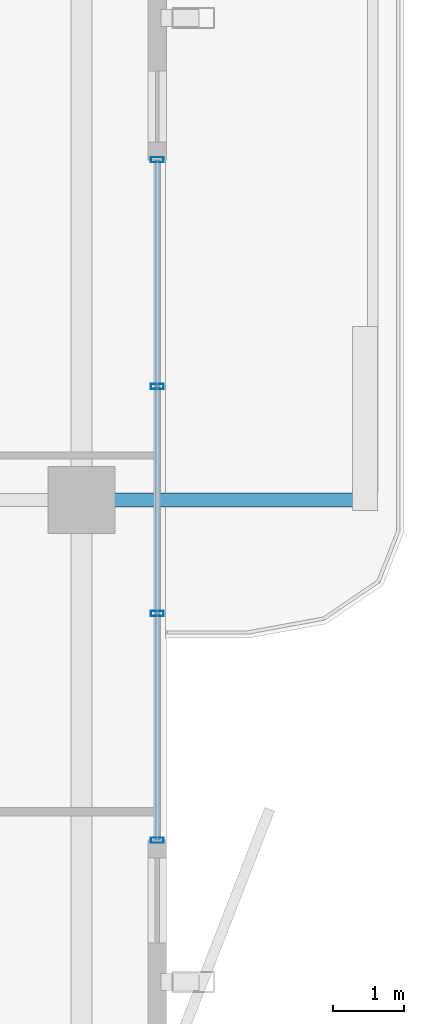
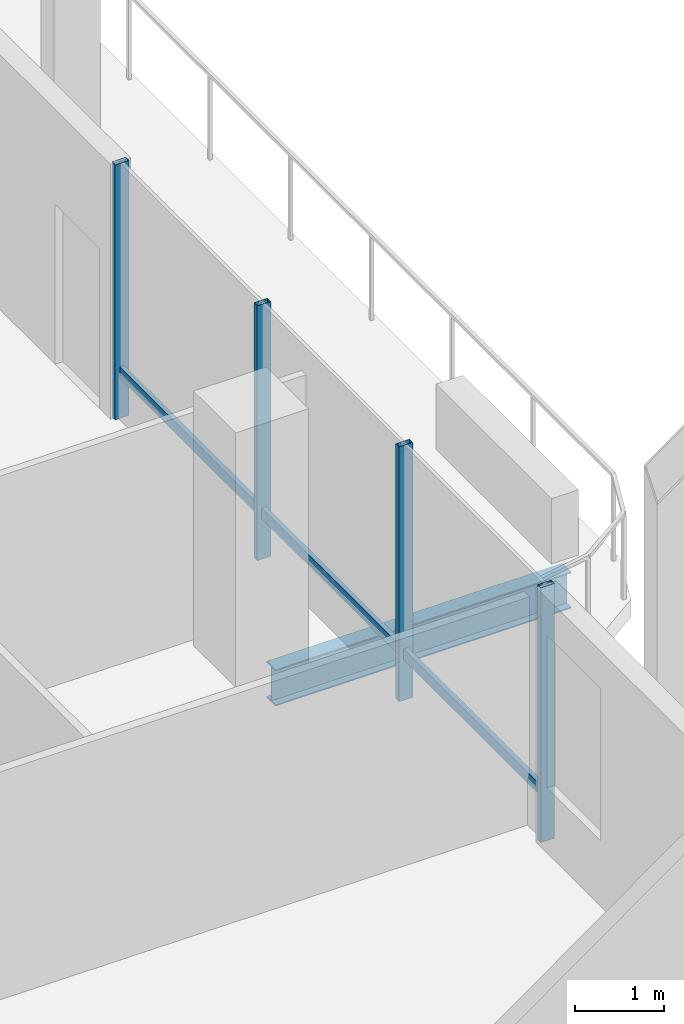
# One storey, part 9 of 20: 7 members, 1 beam, 1 element without a shape of its own.
"""IFC4 building model written with IfcOpenShell, lengths in metres."""

from ifc_helpers import new_model, si_unit, direction, frame, origin, origin_2d, place, context, subcontext, project, spatial, hollow_rectangle, i_section, extrude, material, layer, layer_set, material_profile, profile_set, type_object, element, aggregate, save


model = new_model("IFC4")

# Units and contexts
model_context = context("Model", 3, precision=1e-05, world=origin(), true_north=direction((0.0, 1.0)))
body_context = subcontext(model_context, "Body", "Model", "MODEL_VIEW")
ifc_project = project(units=[si_unit("LENGTHUNIT", "METRE"), si_unit("AREAUNIT", "SQUARE_METRE"), si_unit("VOLUMEUNIT", "CUBIC_METRE"), si_unit("PLANEANGLEUNIT", "RADIAN"), si_unit("MASSUNIT", "GRAM", prefix="KILO")], contexts=[model_context])

# Site, building, storey
site_placement = place(None, origin())
site = spatial("IfcSite", under=ifc_project, at=site_placement, CompositionType="ELEMENT")
building_placement = place(site_placement, origin())
building = spatial("IfcBuilding", under=site, at=building_placement, Name="Belovzor Exchange Tower", CompositionType="ELEMENT")
storey_placement = place(building_placement, frame((0.0, 0.0, 321.75)))
storey = spatial("IfcBuildingStorey", under=building, at=storey_placement, Name="L80", CompositionType="ELEMENT", Elevation=321.75)

# Beam
ifc_material_1 = material(Name="Steel S355", Category="steel")
ifc_material_profile_1 = material_profile(ifc_material_1, i_section(OverallWidth=0.199951171875, OverallDepth=0.5, WebThickness=0.01025390625, FlangeThickness=0.01611328125, at=origin_2d()))
ifc_profile_set_1 = profile_set([ifc_material_profile_1], Name="Steel S355")
beam_type = type_object("IfcBeamType", Name="Planted Balcony Cantilever Beam IPE 500", PredefinedType="BEAM", material=ifc_profile_set_1)
beam_placement = place(storey_placement, frame((50.660888671875, 28.800048828125, -0.489990234375), z_axis=(1.0, 0.0, 0.0), x_axis=(0.0, 1.0, 0.0)))
element("IfcBeam", 1, at=beam_placement, inside=storey, type_object=beam_type, Name="BC-500 Planted Balcony Cantilever Beam IPE 500", PredefinedType="BEAM", context=body_context, shape_type="SweptSolid", body=[
    extrude(i_section(OverallWidth=0.199951171875, OverallDepth=0.5, WebThickness=0.01025390625, FlangeThickness=0.01611328125, at=origin_2d()), origin(), (0.0, 0.0, 1.0), 3.85009765625),
])

# Curtain wall, members
ifc_material_2 = material(Name="Anodised Aluminium Framing", Category="aluminium")
ifc_layer = layer(ifc_material_2, 0.179931640625)
ifc_layer_set = layer_set([ifc_layer], Name="Anodised Aluminium Framing")
curtain_wall_type = type_object("IfcCurtainWallType", Name="Recessed Loggia Low-Iron Triple-Glazed Curtain Wall", PredefinedType="NOTDEFINED", material=ifc_layer_set)
curtain_wall_placement = place(storey_placement, origin())
curtain_wall = element("IfcCurtainWall", 2, at=curtain_wall_placement, inside=storey, type_object=curtain_wall_type, Name="CW3 Recessed Loggia Low-Iron Triple-Glazed Curtain Wall L80", PredefinedType="NOTDEFINED")
ifc_material_3 = material(Name="Steel S355", Category="steel")
ifc_material_profile_2 = material_profile(ifc_material_3, hollow_rectangle(XDim=0.074951171875, YDim=0.179931640625, WallThickness=0.0048828125, at=origin_2d()))
ifc_profile_set_2 = profile_set([ifc_material_profile_2], Name="Steel S355")
member_type_1 = type_object("IfcMemberType", Name="Thermally Broken Curtain Wall Mullion 180x75", PredefinedType="MULLION", material=ifc_profile_set_2)
member_1_placement = place(storey_placement, frame((51.469970703125, 33.60009765625, 0.0), z_axis=(0.0, 0.0, 1.0), x_axis=(0.0, -1.0, 0.0)))
member_1 = element("IfcMember", 3, at=member_1_placement, type_object=member_type_1, Name="CW-M180 Curtain Wall Mullion 1", PredefinedType="MULLION", context=body_context, shape_type="SweptSolid", body=[
    extrude(hollow_rectangle(XDim=0.074951171875, YDim=0.179931640625, WallThickness=0.0048828125, at=origin_2d()), origin(), (0.0, 0.0, 1.0), 3.510009765625),
])
member_2_placement = place(storey_placement, frame((51.469970703125, 30.39990234375, 0.0), z_axis=(0.0, 0.0, 1.0), x_axis=(0.0, -1.0, 0.0)))
member_2 = element("IfcMember", 4, at=member_2_placement, type_object=member_type_1, Name="CW-M180 Curtain Wall Mullion 2", PredefinedType="MULLION", context=body_context, shape_type="SweptSolid", body=[
    extrude(hollow_rectangle(XDim=0.074951171875, YDim=0.179931640625, WallThickness=0.0048828125, at=origin_2d()), origin(), (0.0, 0.0, 1.0), 3.510009765625),
])
member_3_placement = place(storey_placement, frame((51.469970703125, 27.199951171875, 0.0), z_axis=(0.0, 0.0, 1.0), x_axis=(0.0, -1.0, 0.0)))
member_3 = element("IfcMember", 5, at=member_3_placement, type_object=member_type_1, Name="CW-M180 Curtain Wall Mullion 3", PredefinedType="MULLION", context=body_context, shape_type="SweptSolid", body=[
    extrude(hollow_rectangle(XDim=0.074951171875, YDim=0.179931640625, WallThickness=0.0048828125, at=origin_2d()), origin(), (0.0, 0.0, 1.0), 3.510009765625),
])
member_4_placement = place(storey_placement, frame((51.469970703125, 24.0, 0.0), z_axis=(0.0, 0.0, 1.0), x_axis=(0.0, -1.0, 0.0)))
member_4 = element("IfcMember", 6, at=member_4_placement, type_object=member_type_1, Name="CW-M180 Curtain Wall Mullion 4", PredefinedType="MULLION", context=body_context, shape_type="SweptSolid", body=[
    extrude(hollow_rectangle(XDim=0.074951171875, YDim=0.179931640625, WallThickness=0.0048828125, at=origin_2d()), origin(), (0.0, 0.0, 1.0), 3.510009765625),
])
ifc_material_4 = material(Name="Steel S355", Category="steel")
ifc_material_profile_3 = material_profile(ifc_material_4, hollow_rectangle(XDim=0.06005859375, YDim=0.14990234375, WallThickness=0.00390625, at=origin_2d()))
ifc_profile_set_3 = profile_set([ifc_material_profile_3], Name="Steel S355")
member_type_2 = type_object("IfcMemberType", Name="Thermally Broken Curtain Wall Transom 150x60", PredefinedType="USERDEFINED", material=ifc_profile_set_3)
member_5_placement = place(storey_placement, frame((51.469970703125, 33.592041015625, 0.632080078125), z_axis=(0.0, -1.0, 0.0), x_axis=(1.0, 0.0, 0.0)))
member_5 = element("IfcMember", 7, at=member_5_placement, type_object=member_type_2, Name="CW-T150 Curtain Wall Transom 1", ObjectType="TRANSOM", PredefinedType="USERDEFINED", context=body_context, shape_type="SweptSolid", body=[
    extrude(hollow_rectangle(XDim=0.06005859375, YDim=0.14990234375, WallThickness=0.00390625, at=origin_2d()), origin(), (0.0, 0.0, 1.0), 3.18408203125),
])
member_6_placement = place(storey_placement, frame((51.469970703125, 30.39208984375, 0.632080078125), z_axis=(0.0, -1.0, 0.0), x_axis=(1.0, 0.0, 0.0)))
member_6 = element("IfcMember", 8, at=member_6_placement, type_object=member_type_2, Name="CW-T150 Curtain Wall Transom 2", ObjectType="TRANSOM", PredefinedType="USERDEFINED", context=body_context, shape_type="SweptSolid", body=[
    extrude(hollow_rectangle(XDim=0.06005859375, YDim=0.14990234375, WallThickness=0.00390625, at=origin_2d()), origin(), (0.0, 0.0, 1.0), 3.18408203125),
])
member_7_placement = place(storey_placement, frame((51.469970703125, 27.19189453125, 0.632080078125), z_axis=(0.0, -1.0, 0.0), x_axis=(1.0, 0.0, 0.0)))
member_7 = element("IfcMember", 9, at=member_7_placement, type_object=member_type_2, Name="CW-T150 Curtain Wall Transom 3", ObjectType="TRANSOM", PredefinedType="USERDEFINED", context=body_context, shape_type="SweptSolid", body=[
    extrude(hollow_rectangle(XDim=0.06005859375, YDim=0.14990234375, WallThickness=0.00390625, at=origin_2d()), origin(), (0.0, 0.0, 1.0), 3.183837890625),
])
aggregate(curtain_wall, [member_1, member_2, member_3, member_4, member_5, member_6, member_7])

save(model, "model.ifc")
